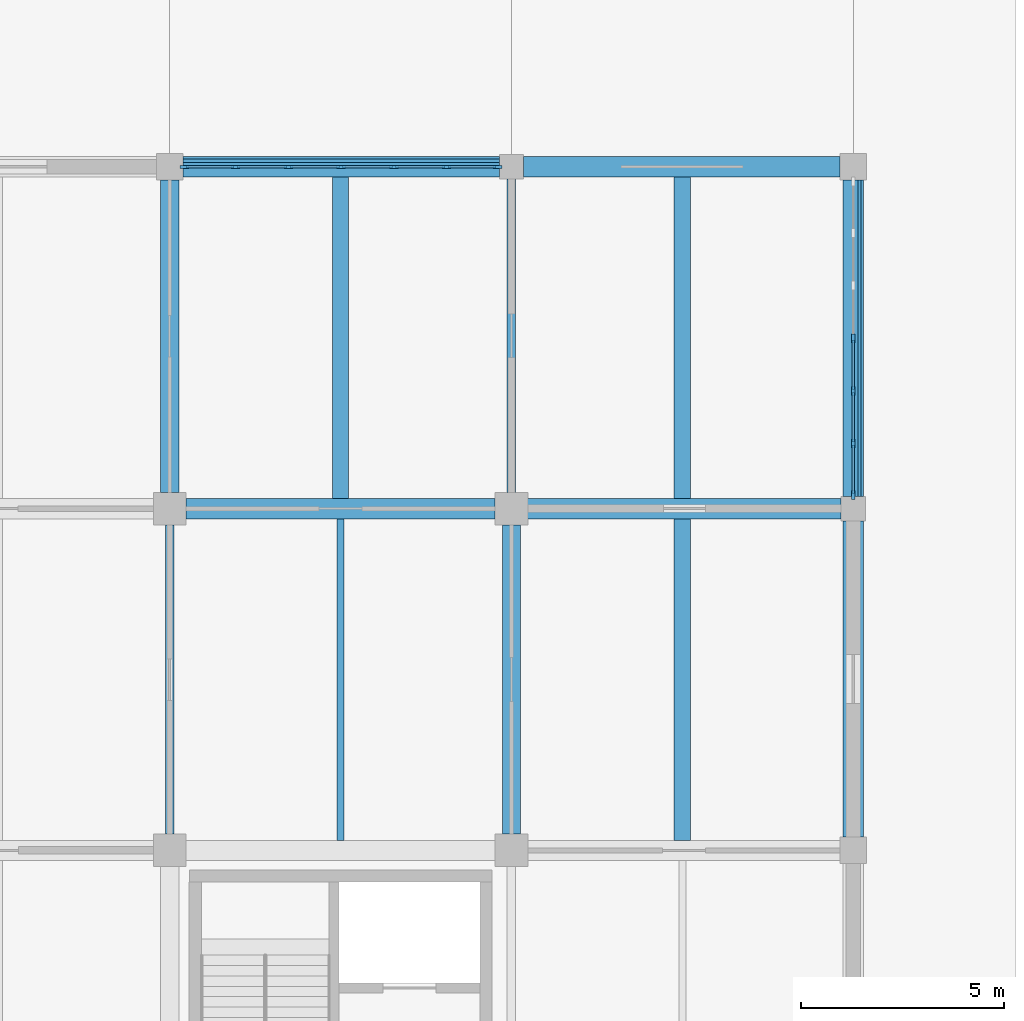
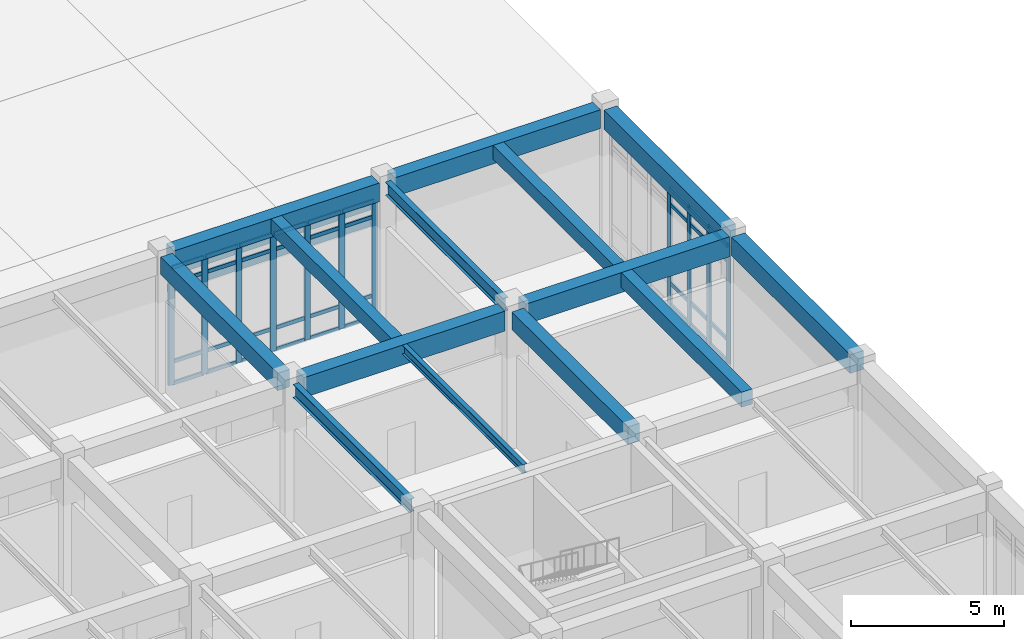
# One storey, part 41 of 91: 50 members, 14 beams, 2 elements without a shape of their own.
"""IFC4 building model written with IfcOpenShell, lengths in metres."""

from ifc_helpers import new_model, si_unit, direction, frame, origin, origin_2d, place, context, subcontext, project, spatial, rectangle, i_section, extrude, material, layer, layer_set, material_profile, profile_set, type_object, element, aggregate, save


model = new_model("IFC4")

# Units and contexts
model_context = context("Model", 3, precision=1e-05, world=origin(), true_north=direction((0.0, 1.0)))
body_context = subcontext(model_context, "Body", "Model", "MODEL_VIEW")
ifc_project = project(units=[si_unit("LENGTHUNIT", "METRE"), si_unit("AREAUNIT", "SQUARE_METRE"), si_unit("VOLUMEUNIT", "CUBIC_METRE"), si_unit("PLANEANGLEUNIT", "RADIAN"), si_unit("MASSUNIT", "GRAM", prefix="KILO")], contexts=[model_context])

# Site, building, storey
site_placement = place(None, origin())
site = spatial("IfcSite", under=ifc_project, at=site_placement, CompositionType="ELEMENT")
building_placement = place(site_placement, origin())
building = spatial("IfcBuilding", under=site, at=building_placement, Name="Porcellanite Civic Hall", CompositionType="ELEMENT")
storey_placement = place(building_placement, origin())
storey = spatial("IfcBuildingStorey", under=building, at=storey_placement, Name="L00", CompositionType="ELEMENT", Elevation=0.0)

# Beams
ifc_material_1 = material(Name="Concrete N50 (50 MPa)", Category="concrete")
ifc_material_profile_1 = material_profile(ifc_material_1, rectangle(XDim=0.39990234375, YDim=0.550048828125, at=origin_2d()), Name="RC-400x550")
ifc_profile_set_1 = profile_set([ifc_material_profile_1], Name="Concrete N50 (50 MPa)")
beam_type_1 = type_object("IfcBeamType", Name="BM-RC550", PredefinedType="JOIST", material=ifc_profile_set_1)
beam_1_placement = place(storey_placement, frame((172.199951171875, 67.449462890625, 5.22509765625), z_axis=(0.0, 1.0, 0.0), x_axis=(-1.0, 0.0, 0.0)))
element("IfcBeam", 1, at=beam_1_placement, inside=storey, type_object=beam_type_1, Name="Secondary joist L00 21-9", PredefinedType="JOIST", context=body_context, shape_type="SweptSolid", body=[
    extrude(rectangle(XDim=0.39990234375, YDim=0.550048828125, at=origin_2d()), origin(), (0.0, 0.0, 1.0), 7.901123046875),
])
ifc_material_2 = material(Name="Concrete N50 (50 MPa)", Category="concrete")
ifc_material_profile_2 = material_profile(ifc_material_2, rectangle(XDim=0.39990234375, YDim=0.60009765625, at=origin_2d()), Name="RC-400x600")
ifc_profile_set_2 = profile_set([ifc_material_profile_2], Name="Concrete N50 (50 MPa)")
beam_type_2 = type_object("IfcBeamType", Name="BM-RC600", PredefinedType="JOIST", material=ifc_profile_set_2)
beam_2_placement = place(storey_placement, frame((163.800048828125, 67.449462890625, 5.199951171875), z_axis=(0.0, 1.0, 0.0), x_axis=(-1.0, 0.0, 0.0)))
element("IfcBeam", 2, at=beam_2_placement, inside=storey, type_object=beam_type_2, Name="Secondary joist L00 20-9", PredefinedType="JOIST", context=body_context, shape_type="SweptSolid", body=[
    extrude(rectangle(XDim=0.39990234375, YDim=0.60009765625, at=origin_2d()), origin(), (0.0, 0.0, 1.0), 7.901123046875),
])
beam_3_placement = place(storey_placement, frame((172.199951171875, 59.049560546875, 5.199951171875), z_axis=(0.0, 1.0, 0.0), x_axis=(-1.0, 0.0, 0.0)))
element("IfcBeam", 3, at=beam_3_placement, inside=storey, type_object=beam_type_2, Name="Secondary joist L00 21-8", PredefinedType="JOIST", context=body_context, shape_type="SweptSolid", body=[
    extrude(rectangle(XDim=0.39990234375, YDim=0.60009765625, at=origin_2d()), origin(), (0.0, 0.0, 1.0), 7.90087890625),
])
ifc_material_3 = material(Name="Concrete N50 (50 MPa)", Category="concrete")
ifc_material_profile_3 = material_profile(ifc_material_3, rectangle(XDim=0.449951171875, YDim=0.699951171875, at=origin_2d()), Name="RC-450x700")
ifc_profile_set_3 = profile_set([ifc_material_profile_3], Name="Concrete N50 (50 MPa)")
beam_type_3 = type_object("IfcBeamType", Name="BM-RC700", PredefinedType="BEAM", material=ifc_profile_set_3)
beam_4_placement = place(storey_placement, frame((159.60009765625, 67.599609375, 5.14990234375), z_axis=(0.0, 1.0, 0.0), x_axis=(-1.0, 0.0, 0.0)))
element("IfcBeam", 4, at=beam_4_placement, inside=storey, type_object=beam_type_3, Name="Beam Y L00 20-9", PredefinedType="BEAM", context=body_context, shape_type="SweptSolid", body=[
    extrude(rectangle(XDim=0.449951171875, YDim=0.699951171875, at=origin_2d()), origin(), (0.0, 0.0, 1.0), 7.67578125),
])
beam_5_placement = place(storey_placement, frame((168.0, 59.199462890625, 5.14990234375), z_axis=(0.0, 1.0, 0.0), x_axis=(-1.0, 0.0, 0.0)))
element("IfcBeam", 5, at=beam_5_placement, inside=storey, type_object=beam_type_3, Name="Beam Y L00 21-8", PredefinedType="BEAM", context=body_context, shape_type="SweptSolid", body=[
    extrude(rectangle(XDim=0.449951171875, YDim=0.699951171875, at=origin_2d()), origin(), (0.0, 0.0, 1.0), 7.60107421875),
])
ifc_material_4 = material(Name="Concrete N50 (50 MPa)", Category="concrete")
ifc_material_profile_4 = material_profile(ifc_material_4, rectangle(XDim=0.5, YDim=0.75, at=origin_2d()), Name="RC-500x750")
ifc_profile_set_4 = profile_set([ifc_material_profile_4], Name="Concrete N50 (50 MPa)")
beam_type_4 = type_object("IfcBeamType", Name="BM-RC750", PredefinedType="SPANDREL", material=ifc_profile_set_4)
for number, where, z_axis, x_axis, name in (
    (6, (159.924560546875, 75.60009765625, 5.125), (1.0, 0.0, 0.0), (0.0, 1.0, 0.0), "Beam X L00 20-10"),
    (7, (168.299560546875, 75.60009765625, 5.125), (1.0, 0.0, 0.0), (0.0, 1.0, 0.0), "Beam X L00 21-10"),
    (8, (176.39990234375, 59.12451171875, 5.125), (0.0, 1.0, 0.0), (-1.0, 0.0, 0.0), "Beam Y L00 22-8"),
    (9, (176.39990234375, 67.49951171875, 5.125), (0.0, 1.0, 0.0), (-1.0, 0.0, 0.0), "Beam Y L00 22-9"),
):
    element("IfcBeam", number, at=place(storey_placement, frame(where, z_axis=z_axis, x_axis=x_axis)), inside=storey, type_object=beam_type_4, Name=name, PredefinedType="SPANDREL", context=body_context, shape_type="SweptSolid", body=[
        extrude(rectangle(XDim=0.5, YDim=0.75, at=origin_2d()), origin(), (0.0, 0.0, 1.0), 7.77587890625),
    ])
ifc_material_5 = material(Name="Concrete N50 (50 MPa)", Category="concrete")
ifc_material_profile_5 = material_profile(ifc_material_5, rectangle(XDim=0.5, YDim=0.800048828125, at=origin_2d()), Name="RC-500x800")
ifc_profile_set_5 = profile_set([ifc_material_profile_5], Name="Concrete N50 (50 MPa)")
beam_type_5 = type_object("IfcBeamType", Name="BM-RC800", PredefinedType="BEAM", material=ifc_profile_set_5)
beam_6_placement = place(storey_placement, frame((159.99951171875, 67.199951171875, 5.10009765625), z_axis=(1.0, 0.0, 0.0), x_axis=(0.0, 1.0, 0.0)))
element("IfcBeam", 10, at=beam_6_placement, inside=storey, type_object=beam_type_5, Name="Beam X L00 20-9", PredefinedType="BEAM", context=body_context, shape_type="SweptSolid", body=[
    extrude(rectangle(XDim=0.5, YDim=0.800048828125, at=origin_2d()), origin(), (0.0, 0.0, 1.0), 7.60107421875),
])
beam_7_placement = place(storey_placement, frame((168.3994140625, 67.199951171875, 5.10009765625), z_axis=(1.0, 0.0, 0.0), x_axis=(0.0, 1.0, 0.0)))
element("IfcBeam", 11, at=beam_7_placement, inside=storey, type_object=beam_type_5, Name="Beam X L00 21-9", PredefinedType="BEAM", context=body_context, shape_type="SweptSolid", body=[
    extrude(rectangle(XDim=0.5, YDim=0.800048828125, at=origin_2d()), origin(), (0.0, 0.0, 1.0), 7.701171875),
])

# Curtain wall, members
ifc_material_6 = material(Name="Anodised aluminium and solar laminated glass", Category="aluminium")
ifc_layer = layer(ifc_material_6, 0.179931640625)
ifc_layer_set = layer_set([ifc_layer], Name="Anodised aluminium and solar laminated glass")
curtain_wall_type = type_object("IfcCurtainWallType", Name="CW-SYS02", PredefinedType="NOTDEFINED", material=ifc_layer_set)
curtain_wall_1_placement = place(storey_placement, origin())
curtain_wall_1 = element("IfcCurtainWall", 12, at=curtain_wall_1_placement, inside=storey, type_object=curtain_wall_type, Name="Curtain wall CW-054", PredefinedType="NOTDEFINED")
ifc_material_7 = material(Name="Anodised aluminium 6063-T6", Category="aluminium")
ifc_material_profile_6 = material_profile(ifc_material_7, rectangle(XDim=0.074951171875, YDim=0.219970703125, at=origin_2d()), Name="AL-75x220")
ifc_profile_set_6 = profile_set([ifc_material_profile_6], Name="Anodised aluminium 6063-T6")
member_type_1 = type_object("IfcMemberType", Name="CWM-03", PredefinedType="MULLION", material=ifc_profile_set_6)
member_1_placement = place(storey_placement, frame((159.96337890625, 75.60009765625, 0.0), z_axis=(0.0, 0.0, 1.0), x_axis=(0.0, 1.0, 0.0)))
member_1 = element("IfcMember", 13, at=member_1_placement, type_object=member_type_1, Name="CW-054 mullion 1", PredefinedType="MULLION", context=body_context, shape_type="SweptSolid", body=[
    extrude(rectangle(XDim=0.074951171875, YDim=0.219970703125, at=origin_2d()), origin(), (0.0, 0.0, 1.0), 4.699951171875),
])
member_2_placement = place(storey_placement, frame((161.221435546875, 75.60009765625, 0.0), z_axis=(0.0, 0.0, 1.0), x_axis=(0.0, 1.0, 0.0)))
member_2 = element("IfcMember", 14, at=member_2_placement, type_object=member_type_1, Name="CW-054 mullion 2", PredefinedType="MULLION", context=body_context, shape_type="SweptSolid", body=[
    extrude(rectangle(XDim=0.074951171875, YDim=0.219970703125, at=origin_2d()), origin(), (0.0, 0.0, 1.0), 4.699951171875),
])
member_3_placement = place(storey_placement, frame((162.51708984375, 75.60009765625, 0.0), z_axis=(0.0, 0.0, 1.0), x_axis=(0.0, 1.0, 0.0)))
member_3 = element("IfcMember", 15, at=member_3_placement, type_object=member_type_1, Name="CW-054 mullion 3", PredefinedType="MULLION", context=body_context, shape_type="SweptSolid", body=[
    extrude(rectangle(XDim=0.074951171875, YDim=0.219970703125, at=origin_2d()), origin(), (0.0, 0.0, 1.0), 4.699951171875),
])
member_4_placement = place(storey_placement, frame((163.8125, 75.60009765625, 0.0), z_axis=(0.0, 0.0, 1.0), x_axis=(0.0, 1.0, 0.0)))
member_4 = element("IfcMember", 16, at=member_4_placement, type_object=member_type_1, Name="CW-054 mullion 4", PredefinedType="MULLION", context=body_context, shape_type="SweptSolid", body=[
    extrude(rectangle(XDim=0.074951171875, YDim=0.219970703125, at=origin_2d()), origin(), (0.0, 0.0, 1.0), 4.699951171875),
])
member_5_placement = place(storey_placement, frame((165.10791015625, 75.60009765625, 0.0), z_axis=(0.0, 0.0, 1.0), x_axis=(0.0, 1.0, 0.0)))
member_5 = element("IfcMember", 17, at=member_5_placement, type_object=member_type_1, Name="CW-054 mullion 5", PredefinedType="MULLION", context=body_context, shape_type="SweptSolid", body=[
    extrude(rectangle(XDim=0.074951171875, YDim=0.219970703125, at=origin_2d()), origin(), (0.0, 0.0, 1.0), 4.699951171875),
])
member_6_placement = place(storey_placement, frame((166.403564453125, 75.60009765625, 0.0), z_axis=(0.0, 0.0, 1.0), x_axis=(0.0, 1.0, 0.0)))
member_6 = element("IfcMember", 18, at=member_6_placement, type_object=member_type_1, Name="CW-054 mullion 6", PredefinedType="MULLION", context=body_context, shape_type="SweptSolid", body=[
    extrude(rectangle(XDim=0.074951171875, YDim=0.219970703125, at=origin_2d()), origin(), (0.0, 0.0, 1.0), 4.699951171875),
])
member_7_placement = place(storey_placement, frame((167.66162109375, 75.60009765625, 0.0), z_axis=(0.0, 0.0, 1.0), x_axis=(0.0, 1.0, 0.0)))
member_7 = element("IfcMember", 19, at=member_7_placement, type_object=member_type_1, Name="CW-054 mullion 7", PredefinedType="MULLION", context=body_context, shape_type="SweptSolid", body=[
    extrude(rectangle(XDim=0.074951171875, YDim=0.219970703125, at=origin_2d()), origin(), (0.0, 0.0, 1.0), 4.699951171875),
])

curtain_wall_2_placement = place(storey_placement, origin())
curtain_wall_2 = element("IfcCurtainWall", 20, at=curtain_wall_2_placement, inside=storey, type_object=curtain_wall_type, Name="Curtain wall CW-059", PredefinedType="NOTDEFINED")
member_8_placement = place(storey_placement, frame((176.39990234375, 71.387451171875, 0.0), z_axis=(0.0, 0.0, 1.0), x_axis=(1.0, 0.0, 0.0)))
member_8 = element("IfcMember", 21, at=member_8_placement, type_object=member_type_1, Name="CW-059 mullion 4", PredefinedType="MULLION", context=body_context, shape_type="SweptSolid", body=[
    extrude(rectangle(XDim=0.074951171875, YDim=0.219970703125, at=origin_2d()), origin(), (0.0, 0.0, 1.0), 4.699951171875),
])
member_9_placement = place(storey_placement, frame((176.39990234375, 70.092041015625, 0.0), z_axis=(0.0, 0.0, 1.0), x_axis=(1.0, 0.0, 0.0)))
member_9 = element("IfcMember", 22, at=member_9_placement, type_object=member_type_1, Name="CW-059 mullion 5", PredefinedType="MULLION", context=body_context, shape_type="SweptSolid", body=[
    extrude(rectangle(XDim=0.074951171875, YDim=0.219970703125, at=origin_2d()), origin(), (0.0, 0.0, 1.0), 4.699951171875),
])
member_10_placement = place(storey_placement, frame((176.39990234375, 68.79638671875, 0.0), z_axis=(0.0, 0.0, 1.0), x_axis=(1.0, 0.0, 0.0)))
member_10 = element("IfcMember", 23, at=member_10_placement, type_object=member_type_1, Name="CW-059 mullion 6", PredefinedType="MULLION", context=body_context, shape_type="SweptSolid", body=[
    extrude(rectangle(XDim=0.074951171875, YDim=0.219970703125, at=origin_2d()), origin(), (0.0, 0.0, 1.0), 4.699951171875),
])
member_11_placement = place(storey_placement, frame((176.39990234375, 67.53857421875, 0.0), z_axis=(0.0, 0.0, 1.0), x_axis=(1.0, 0.0, 0.0)))
member_11 = element("IfcMember", 24, at=member_11_placement, type_object=member_type_1, Name="CW-059 mullion 7", PredefinedType="MULLION", context=body_context, shape_type="SweptSolid", body=[
    extrude(rectangle(XDim=0.074951171875, YDim=0.219970703125, at=origin_2d()), origin(), (0.0, 0.0, 1.0), 4.699951171875),
])

# Member
ifc_material_8 = material(Name="Anodised aluminium 6063-T6", Category="aluminium")
ifc_material_profile_7 = material_profile(ifc_material_8, rectangle(XDim=0.06494140625, YDim=0.14990234375, at=origin_2d()), Name="AL-65x150")
ifc_profile_set_7 = profile_set([ifc_material_profile_7], Name="Anodised aluminium 6063-T6")
member_type_2 = type_object("IfcMemberType", Name="CWT-02", PredefinedType="USERDEFINED", material=ifc_profile_set_7)
member_12_placement = place(storey_placement, frame((160.0009765625, 75.60009765625, 0.032470703125), z_axis=(1.0, 0.0, 0.0), x_axis=(0.0, 1.0, 0.0)))
member_12 = element("IfcMember", 25, at=member_12_placement, type_object=member_type_2, Name="CW-054 transom 1.1", ObjectType="TRANSOM", PredefinedType="USERDEFINED", context=body_context, shape_type="SweptSolid", body=[
    extrude(rectangle(XDim=0.06494140625, YDim=0.14990234375, at=origin_2d()), origin(), (0.0, 0.0, 1.0), 1.18310546875),
])

member_13_placement = place(storey_placement, frame((160.0009765625, 75.60009765625, 0.89990234375), z_axis=(1.0, 0.0, 0.0), x_axis=(0.0, 1.0, 0.0)))
member_13 = element("IfcMember", 26, at=member_13_placement, type_object=member_type_2, Name="CW-054 transom 1.2", ObjectType="TRANSOM", PredefinedType="USERDEFINED", context=body_context, shape_type="SweptSolid", body=[
    extrude(rectangle(XDim=0.06494140625, YDim=0.14990234375, at=origin_2d()), origin(), (0.0, 0.0, 1.0), 1.18310546875),
])

member_14_placement = place(storey_placement, frame((160.0009765625, 75.60009765625, 4.050048828125), z_axis=(1.0, 0.0, 0.0), x_axis=(0.0, 1.0, 0.0)))
member_14 = element("IfcMember", 27, at=member_14_placement, type_object=member_type_2, Name="CW-054 transom 1.3", ObjectType="TRANSOM", PredefinedType="USERDEFINED", context=body_context, shape_type="SweptSolid", body=[
    extrude(rectangle(XDim=0.06494140625, YDim=0.14990234375, at=origin_2d()), origin(), (0.0, 0.0, 1.0), 1.18310546875),
])

member_15_placement = place(storey_placement, frame((160.0009765625, 75.60009765625, 4.66748046875), z_axis=(1.0, 0.0, 0.0), x_axis=(0.0, 1.0, 0.0)))
member_15 = element("IfcMember", 28, at=member_15_placement, type_object=member_type_2, Name="CW-054 transom 1.4", ObjectType="TRANSOM", PredefinedType="USERDEFINED", context=body_context, shape_type="SweptSolid", body=[
    extrude(rectangle(XDim=0.06494140625, YDim=0.14990234375, at=origin_2d()), origin(), (0.0, 0.0, 1.0), 1.18310546875),
])

member_16_placement = place(storey_placement, frame((161.259033203125, 75.60009765625, 0.032470703125), z_axis=(1.0, 0.0, 0.0), x_axis=(0.0, 1.0, 0.0)))
member_16 = element("IfcMember", 29, at=member_16_placement, type_object=member_type_2, Name="CW-054 transom 2.1", ObjectType="TRANSOM", PredefinedType="USERDEFINED", context=body_context, shape_type="SweptSolid", body=[
    extrude(rectangle(XDim=0.06494140625, YDim=0.14990234375, at=origin_2d()), origin(), (0.0, 0.0, 1.0), 1.220458984375),
])

member_17_placement = place(storey_placement, frame((161.259033203125, 75.60009765625, 0.89990234375), z_axis=(1.0, 0.0, 0.0), x_axis=(0.0, 1.0, 0.0)))
member_17 = element("IfcMember", 30, at=member_17_placement, type_object=member_type_2, Name="CW-054 transom 2.2", ObjectType="TRANSOM", PredefinedType="USERDEFINED", context=body_context, shape_type="SweptSolid", body=[
    extrude(rectangle(XDim=0.06494140625, YDim=0.14990234375, at=origin_2d()), origin(), (0.0, 0.0, 1.0), 1.220458984375),
])

member_18_placement = place(storey_placement, frame((161.259033203125, 75.60009765625, 4.050048828125), z_axis=(1.0, 0.0, 0.0), x_axis=(0.0, 1.0, 0.0)))
member_18 = element("IfcMember", 31, at=member_18_placement, type_object=member_type_2, Name="CW-054 transom 2.3", ObjectType="TRANSOM", PredefinedType="USERDEFINED", context=body_context, shape_type="SweptSolid", body=[
    extrude(rectangle(XDim=0.06494140625, YDim=0.14990234375, at=origin_2d()), origin(), (0.0, 0.0, 1.0), 1.220458984375),
])

member_19_placement = place(storey_placement, frame((161.259033203125, 75.60009765625, 4.66748046875), z_axis=(1.0, 0.0, 0.0), x_axis=(0.0, 1.0, 0.0)))
member_19 = element("IfcMember", 32, at=member_19_placement, type_object=member_type_2, Name="CW-054 transom 2.4", ObjectType="TRANSOM", PredefinedType="USERDEFINED", context=body_context, shape_type="SweptSolid", body=[
    extrude(rectangle(XDim=0.06494140625, YDim=0.14990234375, at=origin_2d()), origin(), (0.0, 0.0, 1.0), 1.220458984375),
])

member_20_placement = place(storey_placement, frame((162.554443359375, 75.60009765625, 0.032470703125), z_axis=(1.0, 0.0, 0.0), x_axis=(0.0, 1.0, 0.0)))
member_20 = element("IfcMember", 33, at=member_20_placement, type_object=member_type_2, Name="CW-054 transom 3.1", ObjectType="TRANSOM", PredefinedType="USERDEFINED", context=body_context, shape_type="SweptSolid", body=[
    extrude(rectangle(XDim=0.06494140625, YDim=0.14990234375, at=origin_2d()), origin(), (0.0, 0.0, 1.0), 1.220458984375),
])

member_21_placement = place(storey_placement, frame((162.554443359375, 75.60009765625, 0.89990234375), z_axis=(1.0, 0.0, 0.0), x_axis=(0.0, 1.0, 0.0)))
member_21 = element("IfcMember", 34, at=member_21_placement, type_object=member_type_2, Name="CW-054 transom 3.2", ObjectType="TRANSOM", PredefinedType="USERDEFINED", context=body_context, shape_type="SweptSolid", body=[
    extrude(rectangle(XDim=0.06494140625, YDim=0.14990234375, at=origin_2d()), origin(), (0.0, 0.0, 1.0), 1.220458984375),
])

member_22_placement = place(storey_placement, frame((162.554443359375, 75.60009765625, 4.050048828125), z_axis=(1.0, 0.0, 0.0), x_axis=(0.0, 1.0, 0.0)))
member_22 = element("IfcMember", 35, at=member_22_placement, type_object=member_type_2, Name="CW-054 transom 3.3", ObjectType="TRANSOM", PredefinedType="USERDEFINED", context=body_context, shape_type="SweptSolid", body=[
    extrude(rectangle(XDim=0.06494140625, YDim=0.14990234375, at=origin_2d()), origin(), (0.0, 0.0, 1.0), 1.220458984375),
])

member_23_placement = place(storey_placement, frame((162.554443359375, 75.60009765625, 4.66748046875), z_axis=(1.0, 0.0, 0.0), x_axis=(0.0, 1.0, 0.0)))
member_23 = element("IfcMember", 36, at=member_23_placement, type_object=member_type_2, Name="CW-054 transom 3.4", ObjectType="TRANSOM", PredefinedType="USERDEFINED", context=body_context, shape_type="SweptSolid", body=[
    extrude(rectangle(XDim=0.06494140625, YDim=0.14990234375, at=origin_2d()), origin(), (0.0, 0.0, 1.0), 1.220458984375),
])

member_24_placement = place(storey_placement, frame((163.85009765625, 75.60009765625, 0.032470703125), z_axis=(1.0, 0.0, 0.0), x_axis=(0.0, 1.0, 0.0)))
member_24 = element("IfcMember", 37, at=member_24_placement, type_object=member_type_2, Name="CW-054 transom 4.1", ObjectType="TRANSOM", PredefinedType="USERDEFINED", context=body_context, shape_type="SweptSolid", body=[
    extrude(rectangle(XDim=0.06494140625, YDim=0.14990234375, at=origin_2d()), origin(), (0.0, 0.0, 1.0), 1.220458984375),
])

member_25_placement = place(storey_placement, frame((163.85009765625, 75.60009765625, 0.89990234375), z_axis=(1.0, 0.0, 0.0), x_axis=(0.0, 1.0, 0.0)))
member_25 = element("IfcMember", 38, at=member_25_placement, type_object=member_type_2, Name="CW-054 transom 4.2", ObjectType="TRANSOM", PredefinedType="USERDEFINED", context=body_context, shape_type="SweptSolid", body=[
    extrude(rectangle(XDim=0.06494140625, YDim=0.14990234375, at=origin_2d()), origin(), (0.0, 0.0, 1.0), 1.220458984375),
])

member_26_placement = place(storey_placement, frame((163.85009765625, 75.60009765625, 4.050048828125), z_axis=(1.0, 0.0, 0.0), x_axis=(0.0, 1.0, 0.0)))
member_26 = element("IfcMember", 39, at=member_26_placement, type_object=member_type_2, Name="CW-054 transom 4.3", ObjectType="TRANSOM", PredefinedType="USERDEFINED", context=body_context, shape_type="SweptSolid", body=[
    extrude(rectangle(XDim=0.06494140625, YDim=0.14990234375, at=origin_2d()), origin(), (0.0, 0.0, 1.0), 1.220458984375),
])

member_27_placement = place(storey_placement, frame((163.85009765625, 75.60009765625, 4.66748046875), z_axis=(1.0, 0.0, 0.0), x_axis=(0.0, 1.0, 0.0)))
member_27 = element("IfcMember", 40, at=member_27_placement, type_object=member_type_2, Name="CW-054 transom 4.4", ObjectType="TRANSOM", PredefinedType="USERDEFINED", context=body_context, shape_type="SweptSolid", body=[
    extrude(rectangle(XDim=0.06494140625, YDim=0.14990234375, at=origin_2d()), origin(), (0.0, 0.0, 1.0), 1.220458984375),
])

member_28_placement = place(storey_placement, frame((165.1455078125, 75.60009765625, 0.032470703125), z_axis=(1.0, 0.0, 0.0), x_axis=(0.0, 1.0, 0.0)))
member_28 = element("IfcMember", 41, at=member_28_placement, type_object=member_type_2, Name="CW-054 transom 5.1", ObjectType="TRANSOM", PredefinedType="USERDEFINED", context=body_context, shape_type="SweptSolid", body=[
    extrude(rectangle(XDim=0.06494140625, YDim=0.14990234375, at=origin_2d()), origin(), (0.0, 0.0, 1.0), 1.220458984375),
])

member_29_placement = place(storey_placement, frame((165.1455078125, 75.60009765625, 0.89990234375), z_axis=(1.0, 0.0, 0.0), x_axis=(0.0, 1.0, 0.0)))
member_29 = element("IfcMember", 42, at=member_29_placement, type_object=member_type_2, Name="CW-054 transom 5.2", ObjectType="TRANSOM", PredefinedType="USERDEFINED", context=body_context, shape_type="SweptSolid", body=[
    extrude(rectangle(XDim=0.06494140625, YDim=0.14990234375, at=origin_2d()), origin(), (0.0, 0.0, 1.0), 1.220458984375),
])

member_30_placement = place(storey_placement, frame((165.1455078125, 75.60009765625, 4.050048828125), z_axis=(1.0, 0.0, 0.0), x_axis=(0.0, 1.0, 0.0)))
member_30 = element("IfcMember", 43, at=member_30_placement, type_object=member_type_2, Name="CW-054 transom 5.3", ObjectType="TRANSOM", PredefinedType="USERDEFINED", context=body_context, shape_type="SweptSolid", body=[
    extrude(rectangle(XDim=0.06494140625, YDim=0.14990234375, at=origin_2d()), origin(), (0.0, 0.0, 1.0), 1.220458984375),
])

member_31_placement = place(storey_placement, frame((165.1455078125, 75.60009765625, 4.66748046875), z_axis=(1.0, 0.0, 0.0), x_axis=(0.0, 1.0, 0.0)))
member_31 = element("IfcMember", 44, at=member_31_placement, type_object=member_type_2, Name="CW-054 transom 5.4", ObjectType="TRANSOM", PredefinedType="USERDEFINED", context=body_context, shape_type="SweptSolid", body=[
    extrude(rectangle(XDim=0.06494140625, YDim=0.14990234375, at=origin_2d()), origin(), (0.0, 0.0, 1.0), 1.220458984375),
])

member_32_placement = place(storey_placement, frame((166.44091796875, 75.60009765625, 0.032470703125), z_axis=(1.0, 0.0, 0.0), x_axis=(0.0, 1.0, 0.0)))
member_32 = element("IfcMember", 45, at=member_32_placement, type_object=member_type_2, Name="CW-054 transom 6.1", ObjectType="TRANSOM", PredefinedType="USERDEFINED", context=body_context, shape_type="SweptSolid", body=[
    extrude(rectangle(XDim=0.06494140625, YDim=0.14990234375, at=origin_2d()), origin(), (0.0, 0.0, 1.0), 1.18310546875),
])

member_33_placement = place(storey_placement, frame((166.44091796875, 75.60009765625, 0.89990234375), z_axis=(1.0, 0.0, 0.0), x_axis=(0.0, 1.0, 0.0)))
member_33 = element("IfcMember", 46, at=member_33_placement, type_object=member_type_2, Name="CW-054 transom 6.2", ObjectType="TRANSOM", PredefinedType="USERDEFINED", context=body_context, shape_type="SweptSolid", body=[
    extrude(rectangle(XDim=0.06494140625, YDim=0.14990234375, at=origin_2d()), origin(), (0.0, 0.0, 1.0), 1.18310546875),
])

member_34_placement = place(storey_placement, frame((166.44091796875, 75.60009765625, 4.050048828125), z_axis=(1.0, 0.0, 0.0), x_axis=(0.0, 1.0, 0.0)))
member_34 = element("IfcMember", 47, at=member_34_placement, type_object=member_type_2, Name="CW-054 transom 6.3", ObjectType="TRANSOM", PredefinedType="USERDEFINED", context=body_context, shape_type="SweptSolid", body=[
    extrude(rectangle(XDim=0.06494140625, YDim=0.14990234375, at=origin_2d()), origin(), (0.0, 0.0, 1.0), 1.18310546875),
])

member_35_placement = place(storey_placement, frame((166.44091796875, 75.60009765625, 4.66748046875), z_axis=(1.0, 0.0, 0.0), x_axis=(0.0, 1.0, 0.0)))
member_35 = element("IfcMember", 48, at=member_35_placement, type_object=member_type_2, Name="CW-054 transom 6.4", ObjectType="TRANSOM", PredefinedType="USERDEFINED", context=body_context, shape_type="SweptSolid", body=[
    extrude(rectangle(XDim=0.06494140625, YDim=0.14990234375, at=origin_2d()), origin(), (0.0, 0.0, 1.0), 1.18310546875),
])

aggregate(curtain_wall_1, [member_1, member_2, member_3, member_4, member_5, member_6, member_7, member_12, member_13, member_14, member_15, member_16, member_17, member_18, member_19, member_20, member_21, member_22, member_23, member_24, member_25, member_26, member_27, member_28, member_29, member_30, member_31, member_32, member_33, member_34, member_35])

member_36_placement = place(storey_placement, frame((176.39990234375, 71.35009765625, 0.032470703125), z_axis=(0.0, -1.0, 0.0), x_axis=(1.0, 0.0, 0.0)))
member_36 = element("IfcMember", 49, at=member_36_placement, type_object=member_type_2, Name="CW-059 transom 4.1", ObjectType="TRANSOM", PredefinedType="USERDEFINED", context=body_context, shape_type="SweptSolid", body=[
    extrude(rectangle(XDim=0.06494140625, YDim=0.14990234375, at=origin_2d()), origin(), (0.0, 0.0, 1.0), 1.220703125),
])

member_37_placement = place(storey_placement, frame((176.39990234375, 71.35009765625, 0.89990234375), z_axis=(0.0, -1.0, 0.0), x_axis=(1.0, 0.0, 0.0)))
member_37 = element("IfcMember", 50, at=member_37_placement, type_object=member_type_2, Name="CW-059 transom 4.2", ObjectType="TRANSOM", PredefinedType="USERDEFINED", context=body_context, shape_type="SweptSolid", body=[
    extrude(rectangle(XDim=0.06494140625, YDim=0.14990234375, at=origin_2d()), origin(), (0.0, 0.0, 1.0), 1.220703125),
])

member_38_placement = place(storey_placement, frame((176.39990234375, 71.35009765625, 4.050048828125), z_axis=(0.0, -1.0, 0.0), x_axis=(1.0, 0.0, 0.0)))
member_38 = element("IfcMember", 51, at=member_38_placement, type_object=member_type_2, Name="CW-059 transom 4.3", ObjectType="TRANSOM", PredefinedType="USERDEFINED", context=body_context, shape_type="SweptSolid", body=[
    extrude(rectangle(XDim=0.06494140625, YDim=0.14990234375, at=origin_2d()), origin(), (0.0, 0.0, 1.0), 1.220703125),
])

member_39_placement = place(storey_placement, frame((176.39990234375, 71.35009765625, 4.66748046875), z_axis=(0.0, -1.0, 0.0), x_axis=(1.0, 0.0, 0.0)))
member_39 = element("IfcMember", 52, at=member_39_placement, type_object=member_type_2, Name="CW-059 transom 4.4", ObjectType="TRANSOM", PredefinedType="USERDEFINED", context=body_context, shape_type="SweptSolid", body=[
    extrude(rectangle(XDim=0.06494140625, YDim=0.14990234375, at=origin_2d()), origin(), (0.0, 0.0, 1.0), 1.220703125),
])

member_40_placement = place(storey_placement, frame((176.39990234375, 70.054443359375, 0.032470703125), z_axis=(0.0, -1.0, 0.0), x_axis=(1.0, 0.0, 0.0)))
member_40 = element("IfcMember", 53, at=member_40_placement, type_object=member_type_2, Name="CW-059 transom 5.1", ObjectType="TRANSOM", PredefinedType="USERDEFINED", context=body_context, shape_type="SweptSolid", body=[
    extrude(rectangle(XDim=0.06494140625, YDim=0.14990234375, at=origin_2d()), origin(), (0.0, 0.0, 1.0), 1.220458984375),
])

member_41_placement = place(storey_placement, frame((176.39990234375, 70.054443359375, 0.89990234375), z_axis=(0.0, -1.0, 0.0), x_axis=(1.0, 0.0, 0.0)))
member_41 = element("IfcMember", 54, at=member_41_placement, type_object=member_type_2, Name="CW-059 transom 5.2", ObjectType="TRANSOM", PredefinedType="USERDEFINED", context=body_context, shape_type="SweptSolid", body=[
    extrude(rectangle(XDim=0.06494140625, YDim=0.14990234375, at=origin_2d()), origin(), (0.0, 0.0, 1.0), 1.220458984375),
])

member_42_placement = place(storey_placement, frame((176.39990234375, 70.054443359375, 4.050048828125), z_axis=(0.0, -1.0, 0.0), x_axis=(1.0, 0.0, 0.0)))
member_42 = element("IfcMember", 55, at=member_42_placement, type_object=member_type_2, Name="CW-059 transom 5.3", ObjectType="TRANSOM", PredefinedType="USERDEFINED", context=body_context, shape_type="SweptSolid", body=[
    extrude(rectangle(XDim=0.06494140625, YDim=0.14990234375, at=origin_2d()), origin(), (0.0, 0.0, 1.0), 1.220458984375),
])

member_43_placement = place(storey_placement, frame((176.39990234375, 70.054443359375, 4.66748046875), z_axis=(0.0, -1.0, 0.0), x_axis=(1.0, 0.0, 0.0)))
member_43 = element("IfcMember", 56, at=member_43_placement, type_object=member_type_2, Name="CW-059 transom 5.4", ObjectType="TRANSOM", PredefinedType="USERDEFINED", context=body_context, shape_type="SweptSolid", body=[
    extrude(rectangle(XDim=0.06494140625, YDim=0.14990234375, at=origin_2d()), origin(), (0.0, 0.0, 1.0), 1.220458984375),
])

member_44_placement = place(storey_placement, frame((176.39990234375, 68.759033203125, 0.032470703125), z_axis=(0.0, -1.0, 0.0), x_axis=(1.0, 0.0, 0.0)))
member_44 = element("IfcMember", 57, at=member_44_placement, type_object=member_type_2, Name="CW-059 transom 6.1", ObjectType="TRANSOM", PredefinedType="USERDEFINED", context=body_context, shape_type="SweptSolid", body=[
    extrude(rectangle(XDim=0.06494140625, YDim=0.14990234375, at=origin_2d()), origin(), (0.0, 0.0, 1.0), 1.18310546875),
])

member_45_placement = place(storey_placement, frame((176.39990234375, 68.759033203125, 0.89990234375), z_axis=(0.0, -1.0, 0.0), x_axis=(1.0, 0.0, 0.0)))
member_45 = element("IfcMember", 58, at=member_45_placement, type_object=member_type_2, Name="CW-059 transom 6.2", ObjectType="TRANSOM", PredefinedType="USERDEFINED", context=body_context, shape_type="SweptSolid", body=[
    extrude(rectangle(XDim=0.06494140625, YDim=0.14990234375, at=origin_2d()), origin(), (0.0, 0.0, 1.0), 1.18310546875),
])

member_46_placement = place(storey_placement, frame((176.39990234375, 68.759033203125, 4.050048828125), z_axis=(0.0, -1.0, 0.0), x_axis=(1.0, 0.0, 0.0)))
member_46 = element("IfcMember", 59, at=member_46_placement, type_object=member_type_2, Name="CW-059 transom 6.3", ObjectType="TRANSOM", PredefinedType="USERDEFINED", context=body_context, shape_type="SweptSolid", body=[
    extrude(rectangle(XDim=0.06494140625, YDim=0.14990234375, at=origin_2d()), origin(), (0.0, 0.0, 1.0), 1.18310546875),
])

member_47_placement = place(storey_placement, frame((176.39990234375, 68.759033203125, 4.66748046875), z_axis=(0.0, -1.0, 0.0), x_axis=(1.0, 0.0, 0.0)))
member_47 = element("IfcMember", 60, at=member_47_placement, type_object=member_type_2, Name="CW-059 transom 6.4", ObjectType="TRANSOM", PredefinedType="USERDEFINED", context=body_context, shape_type="SweptSolid", body=[
    extrude(rectangle(XDim=0.06494140625, YDim=0.14990234375, at=origin_2d()), origin(), (0.0, 0.0, 1.0), 1.18310546875),
])

aggregate(curtain_wall_2, [member_8, member_9, member_10, member_11, member_36, member_37, member_38, member_39, member_40, member_41, member_42, member_43, member_44, member_45, member_46, member_47])

# Beam
ifc_material_9 = material(Name="Steel Grade 350", Category="steel")
ifc_material_profile_8 = material_profile(ifc_material_9, i_section(OverallWidth=0.1708984375, OverallDepth=0.35595703125, WebThickness=0.00732421875, FlangeThickness=0.011474609375, FilletRadius=0.011474609375, at=origin_2d()), Name="360UB50.7")
ifc_profile_set_8 = profile_set([ifc_material_profile_8], Name="Steel Grade 350")
beam_type_6 = type_object("IfcBeamType", Name="JST-360UB51", PredefinedType="JOIST", material=ifc_profile_set_8)
beam_8_placement = place(storey_placement, frame((163.800048828125, 59.049560546875, 5.322021484375), z_axis=(0.0, 1.0, 0.0), x_axis=(-1.0, 0.0, 0.0)))
element("IfcBeam", 61, at=beam_8_placement, inside=storey, type_object=beam_type_6, Name="Secondary joist L00 20-8", PredefinedType="JOIST", context=body_context, shape_type="SweptSolid", body=[
    extrude(i_section(OverallWidth=0.1708984375, OverallDepth=0.35595703125, WebThickness=0.00732421875, FlangeThickness=0.011474609375, FilletRadius=0.011474609375, at=origin_2d()), origin(), (0.0, 0.0, 1.0), 7.90087890625),
])

# Members
ifc_material_10 = material(Name="Fluoropolymer bauxite-red aluminium 6063-T6", Category="aluminium")
ifc_material_profile_9 = material_profile(ifc_material_10, rectangle(XDim=0.080078125, YDim=0.320068359375, at=origin_2d()), Name="AL-80x320")
ifc_profile_set_9 = profile_set([ifc_material_profile_9], Name="Fluoropolymer bauxite-red aluminium 6063-T6")
member_type_3 = type_object("IfcMemberType", Name="LV-BLD03", PredefinedType="USERDEFINED", material=ifc_profile_set_9)
for number, where, z_axis, x_axis, name in (
    (62, (159.924560546875, 75.751953125, 4.39990234375), (1.0, 0.0, 0.0), (0.0, 1.0, 0.0), "Cyclone sunshade louvre L00 N 19-8 1"),
    (63, (159.924560546875, 75.751953125, 3.75), (1.0, 0.0, 0.0), (0.0, 1.0, 0.0), "Cyclone sunshade louvre L00 N 19-8 2"),
    (64, (176.552001953125, 75.275390625, 4.39990234375), (0.0, -1.0, 0.0), (1.0, 0.0, 0.0), "Cyclone sunshade louvre L00 E 20-8 1"),
):
    element("IfcMember", number, at=place(storey_placement, frame(where, z_axis=z_axis, x_axis=x_axis)), inside=storey, type_object=member_type_3, Name=name, ObjectType="LOUVRE BLADE", PredefinedType="USERDEFINED", context=body_context, shape_type="SweptSolid", body=[
        extrude(rectangle(XDim=0.080078125, YDim=0.320068359375, at=origin_2d()), origin(), (0.0, 0.0, 1.0), 7.77587890625),
    ])

# Beams
ifc_material_11 = material(Name="Steel Grade 350", Category="steel")
ifc_material_profile_10 = material_profile(ifc_material_11, i_section(OverallWidth=0.208984375, OverallDepth=0.528076171875, WebThickness=0.009521484375, FlangeThickness=0.01318359375, FilletRadius=0.013916015625, at=origin_2d()), Name="530UB82.0")
ifc_profile_set_10 = profile_set([ifc_material_profile_10], Name="Steel Grade 350")
beam_type_7 = type_object("IfcBeamType", Name="RAF-530UB82", PredefinedType="BEAM", material=ifc_profile_set_10)
beam_9_placement = place(storey_placement, frame((159.60009765625, 59.199462890625, 5.236083984375), z_axis=(0.0, 1.0, 0.0), x_axis=(-1.0, 0.0, 0.0)))
element("IfcBeam", 65, at=beam_9_placement, inside=storey, type_object=beam_type_7, Name="Beam Y L00 20-8", PredefinedType="BEAM", context=body_context, shape_type="SweptSolid", body=[
    extrude(i_section(OverallWidth=0.208984375, OverallDepth=0.528076171875, WebThickness=0.009521484375, FlangeThickness=0.01318359375, FilletRadius=0.013916015625, at=origin_2d()), origin(), (0.0, 0.0, 1.0), 7.60107421875),
])
beam_10_placement = place(storey_placement, frame((168.0, 67.599609375, 5.236083984375), z_axis=(0.0, 1.0, 0.0), x_axis=(-1.0, 0.0, 0.0)))
element("IfcBeam", 66, at=beam_10_placement, inside=storey, type_object=beam_type_7, Name="Beam Y L00 21-9", PredefinedType="BEAM", context=body_context, shape_type="SweptSolid", body=[
    extrude(i_section(OverallWidth=0.208984375, OverallDepth=0.528076171875, WebThickness=0.009521484375, FlangeThickness=0.01318359375, FilletRadius=0.013916015625, at=origin_2d()), origin(), (0.0, 0.0, 1.0), 7.700927734375),
])

save(model, "model.ifc")
